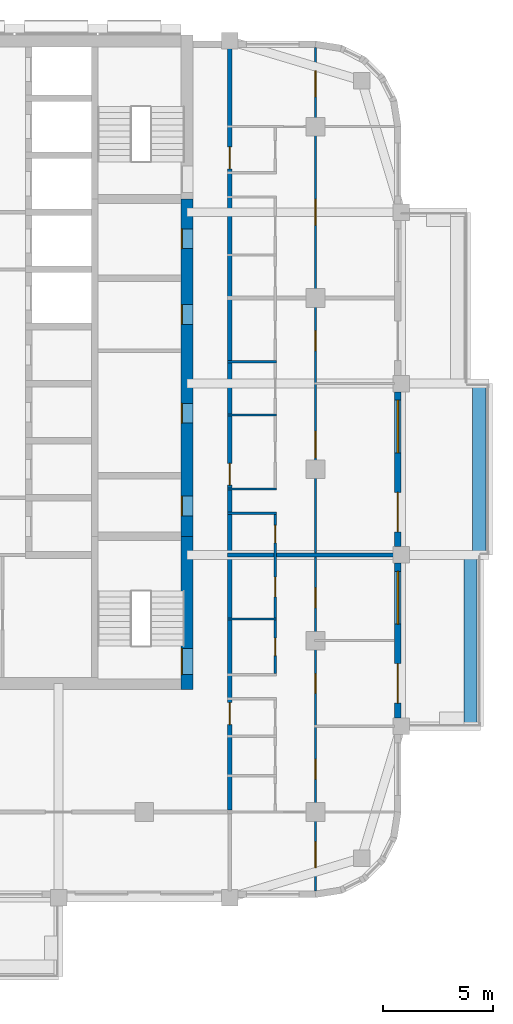
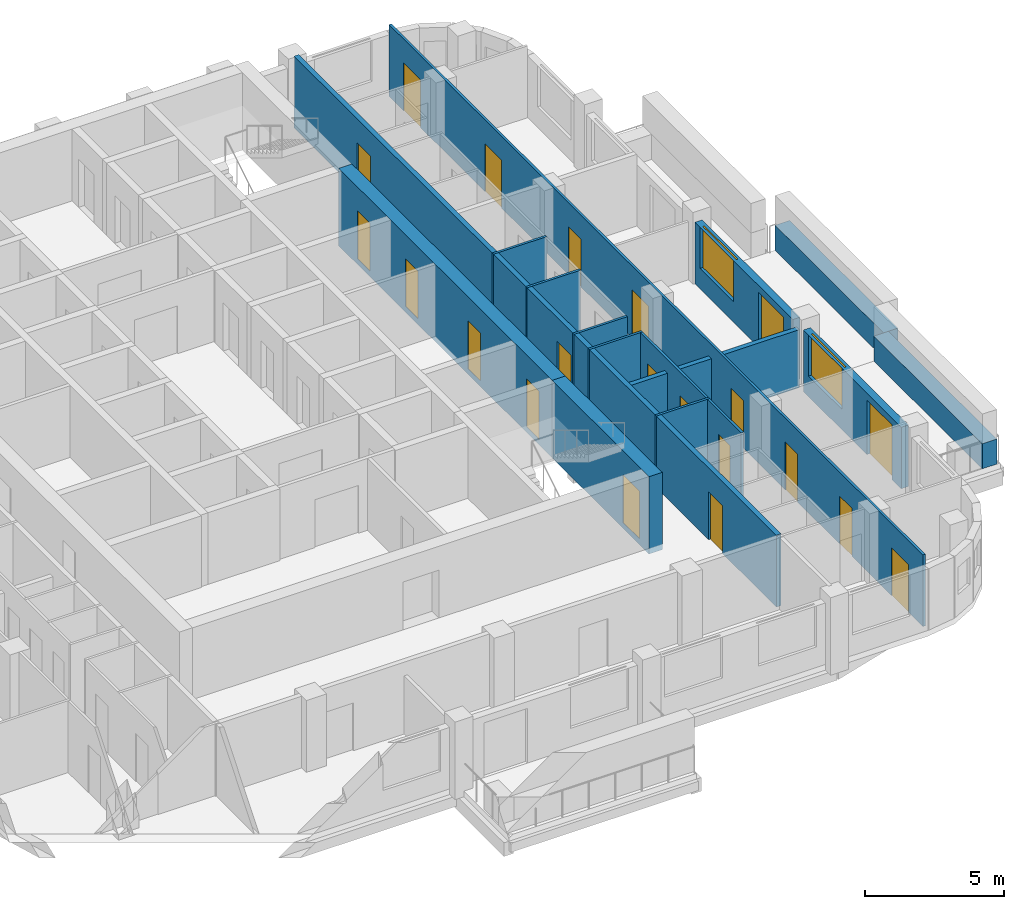
# One storey, part 6 of 13: 21 doors, 15 walls, 2 windows, 23 openings.
"""IFC4 building model written with IfcOpenShell, lengths in metres."""

from ifc_helpers import new_model, si_unit, direction, frame, frame_2d, origin, place, context, subcontext, project, spatial, rectangle, extrude, material, layer, layer_set, type_object, element, fill, save


model = new_model("IFC4")

# Units and contexts
model_context = context("Model", 3, precision=1e-05, world=origin(), true_north=direction((0.0, 1.0)))
body_context = subcontext(model_context, "Body", "Model", "MODEL_VIEW")
ifc_project = project(units=[si_unit("LENGTHUNIT", "METRE"), si_unit("AREAUNIT", "SQUARE_METRE"), si_unit("VOLUMEUNIT", "CUBIC_METRE"), si_unit("PLANEANGLEUNIT", "RADIAN"), si_unit("MASSUNIT", "GRAM", prefix="KILO")], contexts=[model_context])

# Site, building, storey
site_placement = place(None, origin())
site = spatial("IfcSite", under=ifc_project, at=site_placement, CompositionType="ELEMENT")
building_placement = place(site_placement, origin())
building = spatial("IfcBuilding", under=site, at=building_placement, Name="Ludao Terraces", CompositionType="ELEMENT")
storey_placement = place(building_placement, frame((0.0, 0.0, 165.60009765625)))
storey = spatial("IfcBuildingStorey", under=building, at=storey_placement, Name="L45", CompositionType="ELEMENT", Elevation=165.60009765625)

# Wall, opening, door
ifc_material_1 = material(Name="Concrete C60", Category="concrete")
ifc_layer_1 = layer(ifc_material_1, 0.550048828125)
ifc_layer_set_1 = layer_set([ifc_layer_1], Name="Core wall 550 C60")
wall_type_1 = type_object("IfcWallType", Name="Core wall 550 C60", PredefinedType="SOLIDWALL", material=ifc_layer_set_1)
wall_1_placement = place(storey_placement, frame((94.75, 54.97509765625, -0.25), z_axis=(0.0, 0.0, 1.0), x_axis=(0.0, 1.0, 0.0)))
wall_1 = element("IfcWall", 1, at=wall_1_placement, inside=storey, type_object=wall_type_1, Name="Core wall L45 outer-E-S3", PredefinedType="SOLIDWALL", context=body_context, shape_type="SweptSolid", body=[
    extrude(rectangle(XDim=6.974853515625, YDim=0.550048828125, at=frame_2d((3.4873046875, 0.0))), origin(), (0.0, 0.0, 1.0), 3.39990234375),
])
opening_1_placement = place(wall_1_placement, frame((0.675048828125, 0.0, 0.25)))
opening_1 = element("IfcOpeningElement", 2, at=opening_1_placement, cuts=wall_1, Name="Opening R15-017", PredefinedType="OPENING", context=body_context, shape_type="SweptSolid", body=[
    extrude(rectangle(XDim=1.199951171875, YDim=2.10009765625, at=frame_2d((0.60009765625, 1.050048828125))), frame((0.0, 0.28515625, 0.0), z_axis=(0.0, -1.0, 0.0), x_axis=(1.0, 0.0, 0.0)), (0.0, 0.0, 1.0), 0.570068359375),
])
ifc_material_2 = material(Name="Steel Q235", Category="steel")
door_type_1 = type_object("IfcDoorType", Name="INT Stair door 1200", OperationType="DOUBLE_DOOR_SINGLE_SWING", PredefinedType="DOOR", material=ifc_material_2)
door_1_placement = place(opening_1_placement, origin())
door_1 = element("IfcDoor", 3, at=door_1_placement, inside=storey, type_object=door_type_1, Name="DOOR 017", OperationType="DOUBLE_DOOR_SINGLE_SWING", OverallHeight=2.10009765625, OverallWidth=1.199951171875, PredefinedType="DOOR", context=body_context, shape_type="SweptSolid", body=[
    extrude(rectangle(XDim=1.199951171875, YDim=2.10009765625, at=frame_2d((0.60009765625, 1.050048828125))), frame((0.0, 0.26025390625, 0.0), z_axis=(0.0, -1.0, 0.0), x_axis=(1.0, 0.0, 0.0)), (0.0, 0.0, 1.0), 0.050048828125),
])
fill(opening_1, door_1)

# Wall, openings, doors
wall_2_placement = place(storey_placement, frame((94.75, 61.949951171875, -0.25), z_axis=(0.0, 0.0, 1.0), x_axis=(0.0, 1.0, 0.0)))
wall_2 = element("IfcWall", 4, at=wall_2_placement, inside=storey, type_object=wall_type_1, Name="Core wall L45 outer-E", PredefinedType="SOLIDWALL", context=body_context, shape_type="SweptSolid", body=[
    extrude(rectangle(XDim=15.35009765625, YDim=0.550048828125, at=frame_2d((7.675048828125, 0.0))), origin(), (0.0, 0.0, 1.0), 3.39990234375),
])
opening_2_placement = place(wall_2_placement, frame((0.925048828125, 0.0, 0.25)))
opening_2 = element("IfcOpeningElement", 5, at=opening_2_placement, cuts=wall_2, Name="Opening R15-034", PredefinedType="OPENING", context=body_context, shape_type="SweptSolid", body=[
    extrude(rectangle(XDim=0.89990234375, YDim=2.10009765625, at=frame_2d((0.449951171875, 1.050048828125))), frame((0.0, 0.28515625, 0.0), z_axis=(0.0, -1.0, 0.0), x_axis=(1.0, 0.0, 0.0)), (0.0, 0.0, 1.0), 0.570068359375),
])
opening_3_placement = place(wall_2_placement, frame((5.14990234375, 0.0, 0.25)))
opening_3 = element("IfcOpeningElement", 6, at=opening_3_placement, cuts=wall_2, Name="Opening R15-043", PredefinedType="OPENING", context=body_context, shape_type="SweptSolid", body=[
    extrude(rectangle(XDim=0.89990234375, YDim=2.10009765625, at=frame_2d((0.449951171875, 1.050048828125))), frame((0.0, 0.28515625, 0.0), z_axis=(0.0, -1.0, 0.0), x_axis=(1.0, 0.0, 0.0)), (0.0, 0.0, 1.0), 0.570068359375),
])
opening_4_placement = place(wall_2_placement, frame((9.64990234375, 0.0, 0.25)))
opening_4 = element("IfcOpeningElement", 7, at=opening_4_placement, cuts=wall_2, Name="Opening R15-056", PredefinedType="OPENING", context=body_context, shape_type="SweptSolid", body=[
    extrude(rectangle(XDim=0.89990234375, YDim=2.10009765625, at=frame_2d((0.449951171875, 1.050048828125))), frame((0.0, 0.28515625, 0.0), z_axis=(0.0, -1.0, 0.0), x_axis=(1.0, 0.0, 0.0)), (0.0, 0.0, 1.0), 0.570068359375),
])
opening_5_placement = place(wall_2_placement, frame((13.10009765625, 0.0, 0.25)))
opening_5 = element("IfcOpeningElement", 8, at=opening_5_placement, cuts=wall_2, Name="Opening R15-066", PredefinedType="OPENING", context=body_context, shape_type="SweptSolid", body=[
    extrude(rectangle(XDim=0.89990234375, YDim=2.10009765625, at=frame_2d((0.449951171875, 1.050048828125))), frame((0.0, 0.28515625, 0.0), z_axis=(0.0, -1.0, 0.0), x_axis=(1.0, 0.0, 0.0)), (0.0, 0.0, 1.0), 0.570068359375),
])
door_type_2 = type_object("IfcDoorType", Name="INT Riser door 900", OperationType="SINGLE_SWING_LEFT", PredefinedType="DOOR", material=ifc_material_2)
door_2_placement = place(opening_2_placement, origin())
door_2 = element("IfcDoor", 9, at=door_2_placement, inside=storey, type_object=door_type_2, Name="DOOR 034", OperationType="SINGLE_SWING_LEFT", OverallHeight=2.10009765625, OverallWidth=0.89990234375, PredefinedType="DOOR", context=body_context, shape_type="SweptSolid", body=[
    extrude(rectangle(XDim=0.89990234375, YDim=2.10009765625, at=frame_2d((0.449951171875, 1.050048828125))), frame((0.0, 0.26025390625, 0.0), z_axis=(0.0, -1.0, 0.0), x_axis=(1.0, 0.0, 0.0)), (0.0, 0.0, 1.0), 0.050048828125),
])
fill(opening_2, door_2)
door_3_placement = place(opening_5_placement, origin())
door_3 = element("IfcDoor", 10, at=door_3_placement, inside=storey, type_object=door_type_2, Name="DOOR 066", OperationType="SINGLE_SWING_RIGHT", OverallHeight=2.10009765625, OverallWidth=0.89990234375, PredefinedType="DOOR", context=body_context, shape_type="SweptSolid", body=[
    extrude(rectangle(XDim=0.89990234375, YDim=2.10009765625, at=frame_2d((0.449951171875, 1.050048828125))), frame((0.0, 0.26025390625, 0.0), z_axis=(0.0, -1.0, 0.0), x_axis=(1.0, 0.0, 0.0)), (0.0, 0.0, 1.0), 0.050048828125),
])
fill(opening_5, door_3)
ifc_material_3 = material(Name="Timber door leaf", Category="wood")
door_type_3 = type_object("IfcDoorType", Name="INT Room door 900", OperationType="SINGLE_SWING_LEFT", PredefinedType="DOOR", material=ifc_material_3)
door_4_placement = place(opening_3_placement, origin())
door_4 = element("IfcDoor", 11, at=door_4_placement, inside=storey, type_object=door_type_3, Name="DOOR 043", OperationType="SINGLE_SWING_LEFT", OverallHeight=2.10009765625, OverallWidth=0.89990234375, PredefinedType="DOOR", context=body_context, shape_type="SweptSolid", body=[
    extrude(rectangle(XDim=0.89990234375, YDim=2.10009765625, at=frame_2d((0.449951171875, 1.050048828125))), frame((0.0, 0.26025390625, 0.0), z_axis=(0.0, -1.0, 0.0), x_axis=(1.0, 0.0, 0.0)), (0.0, 0.0, 1.0), 0.050048828125),
])
fill(opening_3, door_4)
door_5_placement = place(opening_4_placement, origin())
door_5 = element("IfcDoor", 12, at=door_5_placement, inside=storey, type_object=door_type_3, Name="DOOR 056", OperationType="SINGLE_SWING_RIGHT", OverallHeight=2.10009765625, OverallWidth=0.89990234375, PredefinedType="DOOR", context=body_context, shape_type="SweptSolid", body=[
    extrude(rectangle(XDim=0.89990234375, YDim=2.10009765625, at=frame_2d((0.449951171875, 1.050048828125))), frame((0.0, 0.26025390625, 0.0), z_axis=(0.0, -1.0, 0.0), x_axis=(1.0, 0.0, 0.0)), (0.0, 0.0, 1.0), 0.050048828125),
])
fill(opening_4, door_5)

# Walls
ifc_material_4 = material(Name="Concrete C40", Category="concrete")
ifc_layer_2 = layer(ifc_material_4, 0.60009765625)
ifc_layer_set_2 = layer_set([ifc_layer_2], Name="ENV Planter trough 600")
wall_type_2 = type_object("IfcWallType", Name="ENV Planter trough 600", PredefinedType="USERDEFINED", material=ifc_layer_set_2)
wall_3_placement = place(storey_placement, frame((107.64990234375, 53.300048828125, 0.0), z_axis=(0.0, 0.0, 1.0), x_axis=(0.0, 1.0, 0.0)))
element("IfcWall", 13, at=wall_3_placement, inside=storey, type_object=wall_type_2, Name="PL-L45-E1", ObjectType="PLANTER", PredefinedType="USERDEFINED", context=body_context, shape_type="SweptSolid", body=[
    extrude(rectangle(XDim=7.800048828125, YDim=0.60009765625, at=frame_2d((3.89990234375, 0.0))), origin(), (0.0, 0.0, 1.0), 1.099853515625),
])
wall_4_placement = place(storey_placement, frame((108.050048828125, 61.10009765625, 0.0), z_axis=(0.0, 0.0, 1.0), x_axis=(0.0, 1.0, 0.0)))
element("IfcWall", 14, at=wall_4_placement, inside=storey, type_object=wall_type_2, Name="PL-L45-E2", ObjectType="PLANTER", PredefinedType="USERDEFINED", context=body_context, shape_type="SweptSolid", body=[
    extrude(rectangle(XDim=7.7998046875, YDim=0.60009765625, at=frame_2d((3.89990234375, 0.0))), origin(), (0.0, 0.0, 1.0), 1.099853515625),
])

# Wall, openings, door, window
ifc_material_5 = material(Name="Granite cladding", Category="masonry")
ifc_layer_3 = layer(ifc_material_5, 0.0400390625, Category="stone")
ifc_material_6 = material(Name="Mineral wool")
ifc_layer_4 = layer(ifc_material_6, 0.06005859375)
ifc_layer_5 = layer(ifc_material_4, 0.199951171875, Category="concrete")
ifc_layer_set_3 = layer_set([ifc_layer_3, ifc_layer_4, ifc_layer_5], Name="ENV Stone-clad wall 300")
wall_type_3 = type_object("IfcWallType", Name="ENV Stone-clad wall 300", PredefinedType="SOLIDWALL", material=ifc_layer_set_3)
wall_5_placement = place(storey_placement, frame((104.35009765625, 53.675048828125, 0.0), z_axis=(0.0, 0.0, 1.0), x_axis=(0.0, 1.0, 0.0)))
wall_5 = element("IfcWall", 15, at=wall_5_placement, inside=storey, type_object=wall_type_3, Name="EW-L45-E2", PredefinedType="SOLIDWALL", context=body_context, shape_type="SweptSolid", body=[
    extrude(rectangle(XDim=7.050048828125, YDim=0.300048828125, at=frame_2d((3.52490234375, 0.0))), origin(), (0.0, 0.0, 1.0), 2.699951171875),
])
opening_6_placement = place(wall_5_placement, frame((0.675048828125, 0.0, 0.0)))
opening_6 = element("IfcOpeningElement", 16, at=opening_6_placement, cuts=wall_5, Name="Opening BD", PredefinedType="OPENING", context=body_context, shape_type="SweptSolid", body=[
    extrude(rectangle(XDim=1.800048828125, YDim=2.39990234375, at=frame_2d((0.89990234375, 1.199951171875))), frame((0.0, 0.16015625, 0.0), z_axis=(0.0, -1.0, 0.0), x_axis=(1.0, 0.0, 0.0)), (0.0, 0.0, 1.0), 0.320068359375),
])
opening_7_placement = place(wall_5_placement, frame((4.27490234375, 0.0, 0.89990234375)))
opening_7 = element("IfcOpeningElement", 17, at=opening_7_placement, cuts=wall_5, Name="Opening W1", PredefinedType="OPENING", context=body_context, shape_type="SweptSolid", body=[
    extrude(rectangle(XDim=2.39990234375, YDim=1.800048828125, at=frame_2d((1.199951171875, 0.89990234375))), frame((0.0, 0.16015625, 0.0), z_axis=(0.0, -1.0, 0.0), x_axis=(1.0, 0.0, 0.0)), (0.0, 0.0, 1.0), 0.320068359375),
])
ifc_material_7 = material(Name="Aluminium glazed door", Category="aluminium")
ifc_layer_6 = layer(ifc_material_7, 0.06005859375)
ifc_layer_set_4 = layer_set([ifc_layer_6], Name="ENV Balcony door BD 1800x2400")
door_type_4 = type_object("IfcDoorType", Name="ENV Balcony door BD 1800x2400", OperationType="DOUBLE_DOOR_SINGLE_SWING", PredefinedType="DOOR", material=ifc_layer_set_4)
door_6_placement = place(opening_6_placement, origin())
door_6 = element("IfcDoor", 18, at=door_6_placement, inside=storey, type_object=door_type_4, Name="BD-L45-E2-1", OperationType="DOUBLE_DOOR_SINGLE_SWING", OverallHeight=2.39990234375, OverallWidth=1.800048828125, PredefinedType="DOOR", context=body_context, shape_type="SweptSolid", body=[
    extrude(rectangle(XDim=1.800048828125, YDim=2.39990234375, at=frame_2d((0.89990234375, 1.199951171875))), frame((0.0, 0.02490234375, 0.0), z_axis=(0.0, -1.0, 0.0), x_axis=(1.0, 0.0, 0.0)), (0.0, 0.0, 1.0), 0.050048828125),
])
fill(opening_6, door_6)
ifc_material_8 = material(Name="Clear glass in aluminium frame", Category="aluminium")
ifc_layer_7 = layer(ifc_material_8, 0.06005859375)
ifc_layer_set_5 = layer_set([ifc_layer_7], Name="ENV Window W1 2400x1800")
window_type = type_object("IfcWindowType", Name="ENV Window W1 2400x1800", PartitioningType="DOUBLE_PANEL_VERTICAL", PredefinedType="WINDOW", material=ifc_layer_set_5)
window_1_placement = place(opening_7_placement, origin())
window_1 = element("IfcWindow", 19, at=window_1_placement, inside=storey, type_object=window_type, Name="W-L45-E2-2", OverallHeight=1.800048828125, OverallWidth=2.39990234375, PartitioningType="DOUBLE_PANEL_VERTICAL", PredefinedType="WINDOW", context=body_context, shape_type="SweptSolid", body=[
    extrude(rectangle(XDim=2.39990234375, YDim=1.800048828125, at=frame_2d((1.199951171875, 0.89990234375))), frame((0.0, 0.030029296875, 0.0), z_axis=(0.0, -1.0, 0.0), x_axis=(1.0, 0.0, 0.0)), (0.0, 0.0, 1.0), 0.06005859375),
])
fill(opening_7, window_1)

wall_6_placement = place(storey_placement, frame((104.35009765625, 61.47509765625, 0.0), z_axis=(0.0, 0.0, 1.0), x_axis=(0.0, 1.0, 0.0)))
wall_6 = element("IfcWall", 20, at=wall_6_placement, inside=storey, type_object=wall_type_3, Name="EW-L45-E3", PredefinedType="SOLIDWALL", context=body_context, shape_type="SweptSolid", body=[
    extrude(rectangle(XDim=7.0498046875, YDim=0.300048828125, at=frame_2d((3.52490234375, 0.0))), origin(), (0.0, 0.0, 1.0), 2.699951171875),
])
opening_8_placement = place(wall_6_placement, frame((0.675048828125, 0.0, 0.0)))
opening_8 = element("IfcOpeningElement", 21, at=opening_8_placement, cuts=wall_6, Name="Opening BD", PredefinedType="OPENING", context=body_context, shape_type="SweptSolid", body=[
    extrude(rectangle(XDim=1.800048828125, YDim=2.39990234375, at=frame_2d((0.89990234375, 1.199951171875))), frame((0.0, 0.16015625, 0.0), z_axis=(0.0, -1.0, 0.0), x_axis=(1.0, 0.0, 0.0)), (0.0, 0.0, 1.0), 0.320068359375),
])
opening_9_placement = place(wall_6_placement, frame((4.27490234375, 0.0, 0.89990234375)))
opening_9 = element("IfcOpeningElement", 22, at=opening_9_placement, cuts=wall_6, Name="Opening W1", PredefinedType="OPENING", context=body_context, shape_type="SweptSolid", body=[
    extrude(rectangle(XDim=2.39990234375, YDim=1.800048828125, at=frame_2d((1.199951171875, 0.89990234375))), frame((0.0, 0.16015625, 0.0), z_axis=(0.0, -1.0, 0.0), x_axis=(1.0, 0.0, 0.0)), (0.0, 0.0, 1.0), 0.320068359375),
])
door_7_placement = place(opening_8_placement, origin())
door_7 = element("IfcDoor", 23, at=door_7_placement, inside=storey, type_object=door_type_4, Name="BD-L45-E3-1", OperationType="DOUBLE_DOOR_SINGLE_SWING", OverallHeight=2.39990234375, OverallWidth=1.800048828125, PredefinedType="DOOR", context=body_context, shape_type="SweptSolid", body=[
    extrude(rectangle(XDim=1.800048828125, YDim=2.39990234375, at=frame_2d((0.89990234375, 1.199951171875))), frame((0.0, 0.02490234375, 0.0), z_axis=(0.0, -1.0, 0.0), x_axis=(1.0, 0.0, 0.0)), (0.0, 0.0, 1.0), 0.050048828125),
])
fill(opening_8, door_7)
window_2_placement = place(opening_9_placement, origin())
window_2 = element("IfcWindow", 24, at=window_2_placement, inside=storey, type_object=window_type, Name="W-L45-E3-2", OverallHeight=1.800048828125, OverallWidth=2.39990234375, PartitioningType="DOUBLE_PANEL_VERTICAL", PredefinedType="WINDOW", context=body_context, shape_type="SweptSolid", body=[
    extrude(rectangle(XDim=2.39990234375, YDim=1.800048828125, at=frame_2d((1.199951171875, 0.89990234375))), frame((0.0, 0.030029296875, 0.0), z_axis=(0.0, -1.0, 0.0), x_axis=(1.0, 0.0, 0.0)), (0.0, 0.0, 1.0), 0.06005859375),
])
fill(opening_9, window_2)

# Wall, openings, doors
ifc_material_9 = material(Name="Autoclaved aerated concrete block B06 A3.5", Category="concrete")
ifc_layer_8 = layer(ifc_material_9, 0.199951171875)
ifc_layer_set_6 = layer_set([ifc_layer_8], Name="INT Entrance wall 200")
wall_type_4 = type_object("IfcWallType", Name="INT Entrance wall 200", PredefinedType="PARTITIONING", material=ifc_layer_set_6)
wall_7_placement = place(storey_placement, frame((96.699951171875, 49.5, 0.0), z_axis=(0.0, 0.0, 1.0), x_axis=(0.0, 1.0, 0.0)))
wall_7 = element("IfcWall", 25, at=wall_7_placement, inside=storey, type_object=wall_type_4, Name="PW-L45-PW056", PredefinedType="PARTITIONING", context=body_context, shape_type="SweptSolid", body=[
    extrude(rectangle(XDim=34.7001953125, YDim=0.199951171875, at=frame_2d((17.35009765625, 0.0))), origin(), (0.0, 0.0, 1.0), 3.14990234375),
])
opening_10_placement = place(wall_7_placement, frame((3.875, 0.0, 0.0)))
opening_10 = element("IfcOpeningElement", 26, at=opening_10_placement, cuts=wall_7, Name="Opening R15-013", PredefinedType="OPENING", context=body_context, shape_type="SweptSolid", body=[
    extrude(rectangle(XDim=1.0, YDim=2.10009765625, at=frame_2d((0.5, 1.050048828125))), frame((0.0, 0.10986328125, 0.0), z_axis=(0.0, -1.0, 0.0), x_axis=(1.0, 0.0, 0.0)), (0.0, 0.0, 1.0), 0.219970703125),
])
opening_11_placement = place(wall_7_placement, frame((14.775146484375, 0.0, 0.0)))
opening_11 = element("IfcOpeningElement", 27, at=opening_11_placement, cuts=wall_7, Name="Opening R15-036", PredefinedType="OPENING", context=body_context, shape_type="SweptSolid", body=[
    extrude(rectangle(XDim=1.0, YDim=2.10009765625, at=frame_2d((0.5, 1.050048828125))), frame((0.0, 0.10986328125, 0.0), z_axis=(0.0, -1.0, 0.0), x_axis=(1.0, 0.0, 0.0)), (0.0, 0.0, 1.0), 0.219970703125),
])
opening_12_placement = place(wall_7_placement, frame((29.175048828125, 0.0, 0.0)))
opening_12 = element("IfcOpeningElement", 28, at=opening_12_placement, cuts=wall_7, Name="Opening R15-078", PredefinedType="OPENING", context=body_context, shape_type="SweptSolid", body=[
    extrude(rectangle(XDim=1.0, YDim=2.10009765625, at=frame_2d((0.5, 1.050048828125))), frame((0.0, 0.10986328125, 0.0), z_axis=(0.0, -1.0, 0.0), x_axis=(1.0, 0.0, 0.0)), (0.0, 0.0, 1.0), 0.219970703125),
])
door_type_5 = type_object("IfcDoorType", Name="INT Flat entrance door 1000", OperationType="SINGLE_SWING_LEFT", PredefinedType="DOOR", material=ifc_material_2)
door_8_placement = place(opening_10_placement, origin())
door_8 = element("IfcDoor", 29, at=door_8_placement, inside=storey, type_object=door_type_5, Name="DOOR 013", OperationType="SINGLE_SWING_RIGHT", OverallHeight=2.10009765625, OverallWidth=1.0, PredefinedType="DOOR", context=body_context, shape_type="SweptSolid", body=[
    extrude(rectangle(XDim=1.0, YDim=2.10009765625, at=frame_2d((0.5, 1.050048828125))), frame((0.0, 0.02490234375, 0.0), z_axis=(0.0, -1.0, 0.0), x_axis=(1.0, 0.0, 0.0)), (0.0, 0.0, 1.0), 0.050048828125),
])
fill(opening_10, door_8)
door_9_placement = place(opening_11_placement, origin())
door_9 = element("IfcDoor", 30, at=door_9_placement, inside=storey, type_object=door_type_5, Name="DOOR 036", OperationType="SINGLE_SWING_LEFT", OverallHeight=2.10009765625, OverallWidth=1.0, PredefinedType="DOOR", context=body_context, shape_type="SweptSolid", body=[
    extrude(rectangle(XDim=1.0, YDim=2.10009765625, at=frame_2d((0.5, 1.050048828125))), frame((0.0, 0.02490234375, 0.0), z_axis=(0.0, -1.0, 0.0), x_axis=(1.0, 0.0, 0.0)), (0.0, 0.0, 1.0), 0.050048828125),
])
fill(opening_11, door_9)
door_10_placement = place(opening_12_placement, origin())
door_10 = element("IfcDoor", 31, at=door_10_placement, inside=storey, type_object=door_type_5, Name="DOOR 078", OperationType="SINGLE_SWING_LEFT", OverallHeight=2.10009765625, OverallWidth=1.0, PredefinedType="DOOR", context=body_context, shape_type="SweptSolid", body=[
    extrude(rectangle(XDim=1.0, YDim=2.10009765625, at=frame_2d((0.5, 1.050048828125))), frame((0.0, 0.02490234375, 0.0), z_axis=(0.0, -1.0, 0.0), x_axis=(1.0, 0.0, 0.0)), (0.0, 0.0, 1.0), 0.050048828125),
])
fill(opening_12, door_10)

# Walls
ifc_material_10 = material(Name="Gypsum plasterboard", Category="gypsum")
ifc_layer_9 = layer(ifc_material_10, 0.012451171875, Category="gypsum")
ifc_layer_10 = layer(ifc_material_6, 0.06005859375, Name="insulation")
ifc_layer_11 = layer(ifc_material_2, 0.014892578125, Name="stud")
ifc_layer_12 = layer(ifc_material_10, 0.012451171875, Category="gypsum")
ifc_layer_set_7 = layer_set([ifc_layer_9, ifc_layer_10, ifc_layer_11, ifc_layer_12], Name="INT Partition 100")
wall_type_5 = type_object("IfcWallType", Name="INT Partition 100", PredefinedType="PARTITIONING", material=ifc_layer_set_7)
for number, where, z_axis, x_axis, name in (
    (32, (96.60009765625, 58.179931640625, 0.0), (0.0, 0.0, 1.0), (1.0, 0.0, 0.0), "PW-L45-PW014"),
    (33, (96.60009765625, 63.0, 0.0), (0.0, 0.0, 1.0), (1.0, 0.0, 0.0), "PW-L45-PW019"),
    (34, (96.60009765625, 64.10009765625, 0.0), (0.0, 0.0, 1.0), (1.0, 0.0, 0.0), "PW-L45-PW022"),
    (35, (96.60009765625, 67.469970703125, 0.0), (0.0, 0.0, 1.0), (1.0, 0.0, 0.0), "PW-L45-PW025"),
    (36, (96.60009765625, 69.89990234375, 0.0), (0.0, 0.0, 1.0), (1.0, 0.0, 0.0), "PW-L45-PW028"),
):
    element("IfcWall", number, at=place(storey_placement, frame(where, z_axis=z_axis, x_axis=x_axis)), inside=storey, type_object=wall_type_5, Name=name, PredefinedType="PARTITIONING", context=body_context, shape_type="SweptSolid", body=[
        extrude(rectangle(XDim=2.219970703125, YDim=0.10009765625, at=frame_2d((1.10986328125, 0.0))), origin(), (0.0, 0.0, 1.0), 3.14990234375),
    ])

# Wall, openings, doors
wall_8_placement = place(storey_placement, frame((98.77001953125, 55.7001953125, 0.0), z_axis=(0.0, 0.0, 1.0), x_axis=(0.0, 1.0, 0.0)))
wall_8 = element("IfcWall", 37, at=wall_8_placement, inside=storey, type_object=wall_type_5, Name="PW-L45-PW058", PredefinedType="PARTITIONING", context=body_context, shape_type="SweptSolid", body=[
    extrude(rectangle(XDim=7.25, YDim=0.10009765625, at=frame_2d((3.625, 0.0))), origin(), (0.0, 0.0, 1.0), 3.14990234375),
])
opening_13_placement = place(wall_8_placement, frame((0.81494140625, 0.0, 0.0)))
opening_13 = element("IfcOpeningElement", 38, at=opening_13_placement, cuts=wall_8, Name="Opening R15-018", PredefinedType="OPENING", context=body_context, shape_type="SweptSolid", body=[
    extrude(rectangle(XDim=0.800048828125, YDim=2.10009765625, at=frame_2d((0.39990234375, 1.050048828125))), frame((0.0, 0.06005859375, 0.0), z_axis=(0.0, -1.0, 0.0), x_axis=(1.0, 0.0, 0.0)), (0.0, 0.0, 1.0), 0.1201171875),
])
opening_14_placement = place(wall_8_placement, frame((3.489990234375, 0.0, 0.0)))
opening_14 = element("IfcOpeningElement", 39, at=opening_14_placement, cuts=wall_8, Name="Opening R15-025", PredefinedType="OPENING", context=body_context, shape_type="SweptSolid", body=[
    extrude(rectangle(XDim=0.89990234375, YDim=2.10009765625, at=frame_2d((0.449951171875, 1.050048828125))), frame((0.0, 0.06005859375, 0.0), z_axis=(0.0, -1.0, 0.0), x_axis=(1.0, 0.0, 0.0)), (0.0, 0.0, 1.0), 0.1201171875),
])
opening_15_placement = place(wall_8_placement, frame((5.949951171875, 0.0, 0.0)))
opening_15 = element("IfcOpeningElement", 40, at=opening_15_placement, cuts=wall_8, Name="Opening R15-028", PredefinedType="OPENING", context=body_context, shape_type="SweptSolid", body=[
    extrude(rectangle(XDim=0.800048828125, YDim=2.10009765625, at=frame_2d((0.39990234375, 1.050048828125))), frame((0.0, 0.06005859375, 0.0), z_axis=(0.0, -1.0, 0.0), x_axis=(1.0, 0.0, 0.0)), (0.0, 0.0, 1.0), 0.1201171875),
])
door_11_placement = place(opening_14_placement, origin())
door_11 = element("IfcDoor", 41, at=door_11_placement, inside=storey, type_object=door_type_3, Name="DOOR 025", OperationType="SINGLE_SWING_RIGHT", OverallHeight=2.10009765625, OverallWidth=0.89990234375, PredefinedType="DOOR", context=body_context, shape_type="SweptSolid", body=[
    extrude(rectangle(XDim=0.89990234375, YDim=2.10009765625, at=frame_2d((0.449951171875, 1.050048828125))), frame((0.0, 0.02490234375, 0.0), z_axis=(0.0, -1.0, 0.0), x_axis=(1.0, 0.0, 0.0)), (0.0, 0.0, 1.0), 0.050048828125),
])
fill(opening_14, door_11)
door_type_6 = type_object("IfcDoorType", Name="INT Store door 800", OperationType="SINGLE_SWING_LEFT", PredefinedType="DOOR", material=ifc_material_3)
door_12_placement = place(opening_13_placement, origin())
door_12 = element("IfcDoor", 42, at=door_12_placement, inside=storey, type_object=door_type_6, Name="DOOR 018", OperationType="SINGLE_SWING_LEFT", OverallHeight=2.10009765625, OverallWidth=0.800048828125, PredefinedType="DOOR", context=body_context, shape_type="SweptSolid", body=[
    extrude(rectangle(XDim=0.800048828125, YDim=2.10009765625, at=frame_2d((0.39990234375, 1.050048828125))), frame((0.0, 0.02490234375, 0.0), z_axis=(0.0, -1.0, 0.0), x_axis=(1.0, 0.0, 0.0)), (0.0, 0.0, 1.0), 0.050048828125),
])
fill(opening_13, door_12)
door_13_placement = place(opening_15_placement, origin())
door_13 = element("IfcDoor", 43, at=door_13_placement, inside=storey, type_object=door_type_6, Name="DOOR 028", OperationType="SINGLE_SWING_LEFT", OverallHeight=2.10009765625, OverallWidth=0.800048828125, PredefinedType="DOOR", context=body_context, shape_type="SweptSolid", body=[
    extrude(rectangle(XDim=0.800048828125, YDim=2.10009765625, at=frame_2d((0.39990234375, 1.050048828125))), frame((0.0, 0.02490234375, 0.0), z_axis=(0.0, -1.0, 0.0), x_axis=(1.0, 0.0, 0.0)), (0.0, 0.0, 1.0), 0.050048828125),
])
fill(opening_15, door_13)

wall_9_placement = place(storey_placement, frame((100.60009765625, 45.800048828125, 0.0), z_axis=(0.0, 0.0, 1.0), x_axis=(0.0, 1.0, 0.0)))
wall_9 = element("IfcWall", 44, at=wall_9_placement, inside=storey, type_object=wall_type_5, Name="PW-L45-PW061", PredefinedType="PARTITIONING", context=body_context, shape_type="SweptSolid", body=[
    extrude(rectangle(XDim=38.400146484375, YDim=0.10009765625, at=frame_2d((19.2001953125, 0.0))), origin(), (0.0, 0.0, 1.0), 3.14990234375),
])
opening_16_placement = place(wall_9_placement, frame((1.050048828125, 0.0, 0.0)))
opening_16 = element("IfcOpeningElement", 45, at=opening_16_placement, cuts=wall_9, Name="Opening R15-002", PredefinedType="OPENING", context=body_context, shape_type="SweptSolid", body=[
    extrude(rectangle(XDim=1.199951171875, YDim=2.10009765625, at=frame_2d((0.60009765625, 1.050048828125))), frame((0.0, 0.06005859375, 0.0), z_axis=(0.0, -1.0, 0.0), x_axis=(1.0, 0.0, 0.0)), (0.0, 0.0, 1.0), 0.1201171875),
])
opening_17_placement = place(wall_9_placement, frame((5.10009765625, 0.0, 0.0)))
opening_17 = element("IfcOpeningElement", 46, at=opening_17_placement, cuts=wall_9, Name="Opening R15-010", PredefinedType="OPENING", context=body_context, shape_type="SweptSolid", body=[
    extrude(rectangle(XDim=0.89990234375, YDim=2.10009765625, at=frame_2d((0.449951171875, 1.050048828125))), frame((0.0, 0.06005859375, 0.0), z_axis=(0.0, -1.0, 0.0), x_axis=(1.0, 0.0, 0.0)), (0.0, 0.0, 1.0), 0.1201171875),
])
opening_18_placement = place(wall_9_placement, frame((9.0, 0.0, 0.0)))
opening_18 = element("IfcOpeningElement", 47, at=opening_18_placement, cuts=wall_9, Name="Opening R15-016", PredefinedType="OPENING", context=body_context, shape_type="SweptSolid", body=[
    extrude(rectangle(XDim=0.89990234375, YDim=2.10009765625, at=frame_2d((0.449951171875, 1.050048828125))), frame((0.0, 0.06005859375, 0.0), z_axis=(0.0, -1.0, 0.0), x_axis=(1.0, 0.0, 0.0)), (0.0, 0.0, 1.0), 0.1201171875),
])
opening_19_placement = place(wall_9_placement, frame((12.89990234375, 0.0, 0.0)))
opening_19 = element("IfcOpeningElement", 48, at=opening_19_placement, cuts=wall_9, Name="Opening R15-024", PredefinedType="OPENING", context=body_context, shape_type="SweptSolid", body=[
    extrude(rectangle(XDim=0.89990234375, YDim=2.10009765625, at=frame_2d((0.449951171875, 1.050048828125))), frame((0.0, 0.06005859375, 0.0), z_axis=(0.0, -1.0, 0.0), x_axis=(1.0, 0.0, 0.0)), (0.0, 0.0, 1.0), 0.1201171875),
])
opening_20_placement = place(wall_9_placement, frame((19.72509765625, 0.0, 0.0)))
opening_20 = element("IfcOpeningElement", 49, at=opening_20_placement, cuts=wall_9, Name="Opening R15-041", PredefinedType="OPENING", context=body_context, shape_type="SweptSolid", body=[
    extrude(rectangle(XDim=1.199951171875, YDim=2.10009765625, at=frame_2d((0.60009765625, 1.050048828125))), frame((0.0, 0.06005859375, 0.0), z_axis=(0.0, -1.0, 0.0), x_axis=(1.0, 0.0, 0.0)), (0.0, 0.0, 1.0), 0.1201171875),
])
opening_21_placement = place(wall_9_placement, frame((24.60009765625, 0.0, 0.0)))
opening_21 = element("IfcOpeningElement", 50, at=opening_21_placement, cuts=wall_9, Name="Opening R15-052", PredefinedType="OPENING", context=body_context, shape_type="SweptSolid", body=[
    extrude(rectangle(XDim=0.89990234375, YDim=2.10009765625, at=frame_2d((0.449951171875, 1.050048828125))), frame((0.0, 0.06005859375, 0.0), z_axis=(0.0, -1.0, 0.0), x_axis=(1.0, 0.0, 0.0)), (0.0, 0.0, 1.0), 0.1201171875),
])
opening_22_placement = place(wall_9_placement, frame((30.300048828125, 0.0, 0.0)))
opening_22 = element("IfcOpeningElement", 51, at=opening_22_placement, cuts=wall_9, Name="Opening R15-070", PredefinedType="OPENING", context=body_context, shape_type="SweptSolid", body=[
    extrude(rectangle(XDim=1.199951171875, YDim=2.10009765625, at=frame_2d((0.60009765625, 1.050048828125))), frame((0.0, 0.06005859375, 0.0), z_axis=(0.0, -1.0, 0.0), x_axis=(1.0, 0.0, 0.0)), (0.0, 0.0, 1.0), 0.1201171875),
])
opening_23_placement = place(wall_9_placement, frame((36.14990234375, 0.0, 0.0)))
opening_23 = element("IfcOpeningElement", 52, at=opening_23_placement, cuts=wall_9, Name="Opening R15-086", PredefinedType="OPENING", context=body_context, shape_type="SweptSolid", body=[
    extrude(rectangle(XDim=1.199951171875, YDim=2.10009765625, at=frame_2d((0.60009765625, 1.050048828125))), frame((0.0, 0.06005859375, 0.0), z_axis=(0.0, -1.0, 0.0), x_axis=(1.0, 0.0, 0.0)), (0.0, 0.0, 1.0), 0.1201171875),
])
door_type_7 = type_object("IfcDoorType", Name="INT Double door 1200", OperationType="DOUBLE_DOOR_SINGLE_SWING", PredefinedType="DOOR", material=ifc_material_3)
door_14_placement = place(opening_16_placement, origin())
door_14 = element("IfcDoor", 53, at=door_14_placement, inside=storey, type_object=door_type_7, Name="DOOR 002", OperationType="DOUBLE_DOOR_SINGLE_SWING", OverallHeight=2.10009765625, OverallWidth=1.199951171875, PredefinedType="DOOR", context=body_context, shape_type="SweptSolid", body=[
    extrude(rectangle(XDim=1.199951171875, YDim=2.10009765625, at=frame_2d((0.60009765625, 1.050048828125))), frame((0.0, 0.02490234375, 0.0), z_axis=(0.0, -1.0, 0.0), x_axis=(1.0, 0.0, 0.0)), (0.0, 0.0, 1.0), 0.050048828125),
])
fill(opening_16, door_14)
door_15_placement = place(opening_20_placement, origin())
door_15 = element("IfcDoor", 54, at=door_15_placement, inside=storey, type_object=door_type_7, Name="DOOR 041", OperationType="DOUBLE_DOOR_SINGLE_SWING", OverallHeight=2.10009765625, OverallWidth=1.199951171875, PredefinedType="DOOR", context=body_context, shape_type="SweptSolid", body=[
    extrude(rectangle(XDim=1.199951171875, YDim=2.10009765625, at=frame_2d((0.60009765625, 1.050048828125))), frame((0.0, 0.02490234375, 0.0), z_axis=(0.0, -1.0, 0.0), x_axis=(1.0, 0.0, 0.0)), (0.0, 0.0, 1.0), 0.050048828125),
])
fill(opening_20, door_15)
door_16_placement = place(opening_22_placement, origin())
door_16 = element("IfcDoor", 55, at=door_16_placement, inside=storey, type_object=door_type_7, Name="DOOR 070", OperationType="DOUBLE_DOOR_SINGLE_SWING", OverallHeight=2.10009765625, OverallWidth=1.199951171875, PredefinedType="DOOR", context=body_context, shape_type="SweptSolid", body=[
    extrude(rectangle(XDim=1.199951171875, YDim=2.10009765625, at=frame_2d((0.60009765625, 1.050048828125))), frame((0.0, 0.02490234375, 0.0), z_axis=(0.0, -1.0, 0.0), x_axis=(1.0, 0.0, 0.0)), (0.0, 0.0, 1.0), 0.050048828125),
])
fill(opening_22, door_16)
door_17_placement = place(opening_23_placement, origin())
door_17 = element("IfcDoor", 56, at=door_17_placement, inside=storey, type_object=door_type_7, Name="DOOR 086", OperationType="DOUBLE_DOOR_SINGLE_SWING", OverallHeight=2.10009765625, OverallWidth=1.199951171875, PredefinedType="DOOR", context=body_context, shape_type="SweptSolid", body=[
    extrude(rectangle(XDim=1.199951171875, YDim=2.10009765625, at=frame_2d((0.60009765625, 1.050048828125))), frame((0.0, 0.02490234375, 0.0), z_axis=(0.0, -1.0, 0.0), x_axis=(1.0, 0.0, 0.0)), (0.0, 0.0, 1.0), 0.050048828125),
])
fill(opening_23, door_17)
door_18_placement = place(opening_17_placement, origin())
door_18 = element("IfcDoor", 57, at=door_18_placement, inside=storey, type_object=door_type_3, Name="DOOR 010", OperationType="SINGLE_SWING_LEFT", OverallHeight=2.10009765625, OverallWidth=0.89990234375, PredefinedType="DOOR", context=body_context, shape_type="SweptSolid", body=[
    extrude(rectangle(XDim=0.89990234375, YDim=2.10009765625, at=frame_2d((0.449951171875, 1.050048828125))), frame((0.0, 0.02490234375, 0.0), z_axis=(0.0, -1.0, 0.0), x_axis=(1.0, 0.0, 0.0)), (0.0, 0.0, 1.0), 0.050048828125),
])
fill(opening_17, door_18)
door_19_placement = place(opening_18_placement, origin())
door_19 = element("IfcDoor", 58, at=door_19_placement, inside=storey, type_object=door_type_3, Name="DOOR 016", OperationType="SINGLE_SWING_RIGHT", OverallHeight=2.10009765625, OverallWidth=0.89990234375, PredefinedType="DOOR", context=body_context, shape_type="SweptSolid", body=[
    extrude(rectangle(XDim=0.89990234375, YDim=2.10009765625, at=frame_2d((0.449951171875, 1.050048828125))), frame((0.0, 0.02490234375, 0.0), z_axis=(0.0, -1.0, 0.0), x_axis=(1.0, 0.0, 0.0)), (0.0, 0.0, 1.0), 0.050048828125),
])
fill(opening_18, door_19)
door_20_placement = place(opening_19_placement, origin())
door_20 = element("IfcDoor", 59, at=door_20_placement, inside=storey, type_object=door_type_3, Name="DOOR 024", OperationType="SINGLE_SWING_RIGHT", OverallHeight=2.10009765625, OverallWidth=0.89990234375, PredefinedType="DOOR", context=body_context, shape_type="SweptSolid", body=[
    extrude(rectangle(XDim=0.89990234375, YDim=2.10009765625, at=frame_2d((0.449951171875, 1.050048828125))), frame((0.0, 0.02490234375, 0.0), z_axis=(0.0, -1.0, 0.0), x_axis=(1.0, 0.0, 0.0)), (0.0, 0.0, 1.0), 0.050048828125),
])
fill(opening_19, door_20)
door_21_placement = place(opening_21_placement, origin())
door_21 = element("IfcDoor", 60, at=door_21_placement, inside=storey, type_object=door_type_3, Name="DOOR 052", OperationType="SINGLE_SWING_LEFT", OverallHeight=2.10009765625, OverallWidth=0.89990234375, PredefinedType="DOOR", context=body_context, shape_type="SweptSolid", body=[
    extrude(rectangle(XDim=0.89990234375, YDim=2.10009765625, at=frame_2d((0.449951171875, 1.050048828125))), frame((0.0, 0.02490234375, 0.0), z_axis=(0.0, -1.0, 0.0), x_axis=(1.0, 0.0, 0.0)), (0.0, 0.0, 1.0), 0.050048828125),
])
fill(opening_21, door_21)

# Wall
ifc_layer_13 = layer(ifc_material_9, 0.199951171875)
ifc_layer_set_8 = layer_set([ifc_layer_13], Name="INT Party wall 200")
wall_type_6 = type_object("IfcWallType", Name="INT Party wall 200", PredefinedType="PARTITIONING", material=ifc_layer_set_8)
wall_10_placement = place(storey_placement, frame((96.60009765625, 61.10009765625, 0.0), z_axis=(0.0, 0.0, 1.0), x_axis=(1.0, 0.0, 0.0)))
element("IfcWall", 61, at=wall_10_placement, inside=storey, type_object=wall_type_6, Name="PW-L45-PW018", PredefinedType="PARTITIONING", context=body_context, shape_type="SweptSolid", body=[
    extrude(rectangle(XDim=7.60009765625, YDim=0.199951171875, at=frame_2d((3.800048828125, 0.0))), origin(), (0.0, 0.0, 1.0), 2.5498046875),
])

save(model, "model.ifc")
